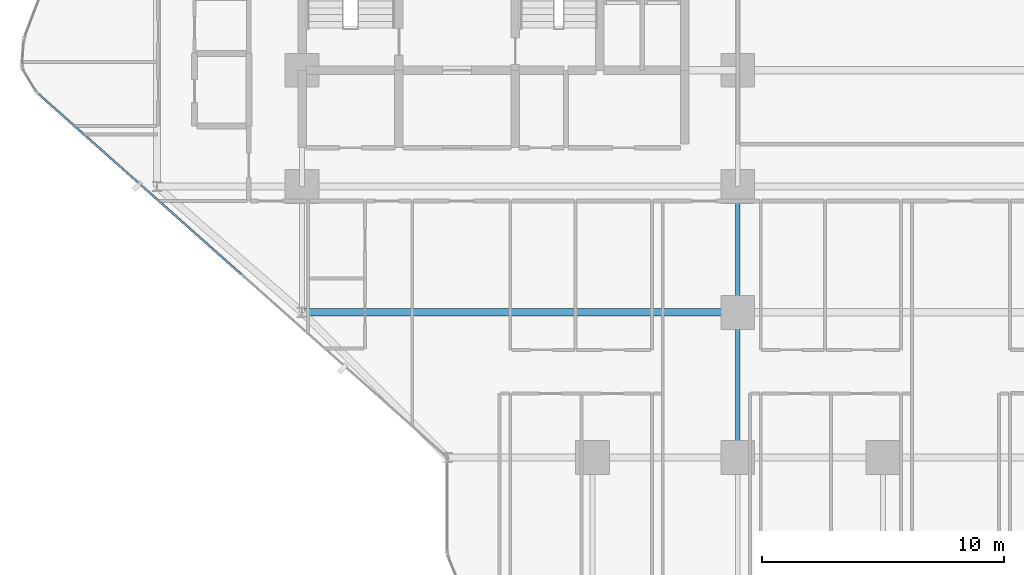
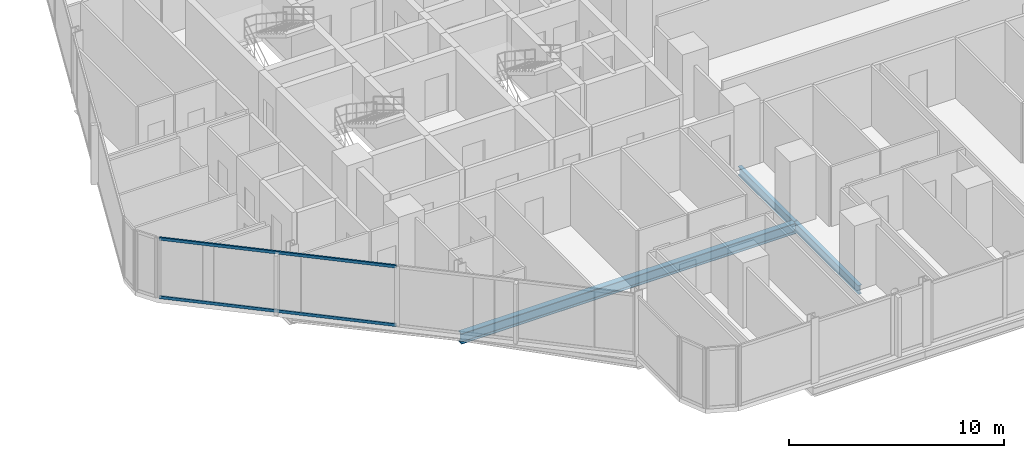
# One storey, part 4 of 35: 3 beams, 2 members, 1 element without a shape of its own.
"""IFC4 building model written with IfcOpenShell, lengths in metres."""

from ifc_helpers import new_model, si_unit, direction, frame, origin, origin_2d, place, context, subcontext, project, spatial, hollow_rectangle, i_section, extrude, material, layer, layer_set, material_profile, profile_set, type_object, element, aggregate, save


model = new_model("IFC4")

# Units and contexts
model_context = context("Model", 3, precision=1e-05, world=origin(), true_north=direction((0.0, 1.0)))
body_context = subcontext(model_context, "Body", "Model", "MODEL_VIEW")
ifc_project = project(units=[si_unit("LENGTHUNIT", "METRE"), si_unit("AREAUNIT", "SQUARE_METRE"), si_unit("VOLUMEUNIT", "CUBIC_METRE"), si_unit("PLANEANGLEUNIT", "RADIAN"), si_unit("MASSUNIT", "GRAM", prefix="KILO")], contexts=[model_context])

# Site, building, storey
site_placement = place(None, origin())
site = spatial("IfcSite", under=ifc_project, at=site_placement, CompositionType="ELEMENT")
building_placement = place(site_placement, origin())
building = spatial("IfcBuilding", under=site, at=building_placement, Name="Keshet Zoharim Tower", CompositionType="ELEMENT")
storey_placement = place(building_placement, frame((0.0, 0.0, 24.0)))
storey = spatial("IfcBuildingStorey", under=building, at=storey_placement, Name="L04", CompositionType="ELEMENT", Elevation=24.0)

# Beams
ifc_material_1 = material(Name="Steel S355", Category="steel")
ifc_material_profile_1 = material_profile(ifc_material_1, i_section(OverallWidth=0.300048828125, OverallDepth=0.60009765625, WebThickness=0.015380859375, FlangeThickness=0.030029296875, FilletRadius=0.027099609375, at=origin_2d()), Name="HEB600")
ifc_profile_set_1 = profile_set([ifc_material_profile_1], Name="Steel S355")
beam_type_1 = type_object("IfcBeamType", Name="BM-LNG-HB600", PredefinedType="BEAM", material=ifc_profile_set_1)
beam_1_placement = place(storey_placement, frame((15.0, 12.699951171875, -0.614990234375), z_axis=(1.0, 0.0, 0.0), x_axis=(0.0, 1.0, 0.0)))
element("IfcBeam", 1, at=beam_1_placement, inside=storey, type_object=beam_type_1, Name="L04 Primary Girder X-011", PredefinedType="BEAM", context=body_context, shape_type="SweptSolid", body=[
    extrude(i_section(OverallWidth=0.300048828125, OverallDepth=0.60009765625, WebThickness=0.015380859375, FlangeThickness=0.030029296875, FilletRadius=0.027099609375, at=origin_2d()), origin(), (0.0, 0.0, 1.0), 18.0),
])
ifc_material_profile_2 = material_profile(ifc_material_1, i_section(OverallWidth=0.199951171875, OverallDepth=0.5, WebThickness=0.01025390625, FlangeThickness=0.01611328125, FilletRadius=0.02099609375, at=origin_2d()), Name="IPE500")
ifc_profile_set_2 = profile_set([ifc_material_profile_2], Name="Steel S355")
beam_type_2 = type_object("IfcBeamType", Name="BM-PRI-IP500", PredefinedType="BEAM", material=ifc_profile_set_2)
beam_2_placement = place(storey_placement, frame((33.0, 6.699951171875, -0.56494140625), z_axis=(0.0, 1.0, 0.0), x_axis=(-1.0, 0.0, 0.0)))
element("IfcBeam", 2, at=beam_2_placement, inside=storey, type_object=beam_type_2, Name="L04 Primary Girder Y-006", PredefinedType="BEAM", context=body_context, shape_type="SweptSolid", body=[
    extrude(i_section(OverallWidth=0.199951171875, OverallDepth=0.5, WebThickness=0.01025390625, FlangeThickness=0.01611328125, FilletRadius=0.02099609375, at=origin_2d()), origin(), (0.0, 0.0, 1.0), 6.0),
])
beam_3_placement = place(storey_placement, frame((33.0, 12.699951171875, -0.56494140625), z_axis=(0.0, 1.0, 0.0), x_axis=(-1.0, 0.0, 0.0)))
element("IfcBeam", 3, at=beam_3_placement, inside=storey, type_object=beam_type_2, Name="L04 Primary Girder Y-007", PredefinedType="BEAM", context=body_context, shape_type="SweptSolid", body=[
    extrude(i_section(OverallWidth=0.199951171875, OverallDepth=0.5, WebThickness=0.01025390625, FlangeThickness=0.01611328125, FilletRadius=0.02099609375, at=origin_2d()), origin(), (0.0, 0.0, 1.0), 5.199951171875),
])

# Curtain wall, members
ifc_material_2 = material(Name="Aluminium 6063-T6", Category="aluminium")
ifc_layer = layer(ifc_material_2, 0.179931640625)
ifc_layer_set = layer_set([ifc_layer], Name="Aluminium 6063-T6")
curtain_wall_type = type_object("IfcCurtainWallType", Name="CW-SYS-01", PredefinedType="NOTDEFINED", material=ifc_layer_set)
curtain_wall_placement = place(storey_placement, origin())
curtain_wall = element("IfcCurtainWall", 4, at=curtain_wall_placement, inside=storey, type_object=curtain_wall_type, Name="L04 Unitised Curtain Wall 01", PredefinedType="NOTDEFINED")
ifc_material_profile_3 = material_profile(ifc_material_2, hollow_rectangle(XDim=0.0849609375, YDim=0.159912109375, WallThickness=0.00439453125, at=origin_2d()), Name="TRN-85x160")
ifc_profile_set_3 = profile_set([ifc_material_profile_3], Name="Aluminium 6063-T6")
member_type = type_object("IfcMemberType", Name="CWT-T16", PredefinedType="USERDEFINED", material=ifc_profile_set_3)
member_1_placement = place(storey_placement, frame((12.491455078125, 14.26318359375, 0.034912109375), z_axis=(-0.747411714548, 0.664361143472, 0.0), x_axis=(-0.664361143472, -0.747411714548, 0.0)))
member_1 = element("IfcMember", 5, at=member_1_placement, type_object=member_type, Name="CW-01 transom 2.1", ObjectType="TRANSOM", PredefinedType="USERDEFINED", context=body_context, shape_type="SweptSolid", body=[
    extrude(hollow_rectangle(XDim=0.0849609375, YDim=0.159912109375, WallThickness=0.00439453125, at=origin_2d()), origin(), (0.0, 0.0, 1.0), 11.244140625),
])
member_2_placement = place(storey_placement, frame((12.491455078125, 14.26318359375, 3.35009765625), z_axis=(-0.747411714548, 0.664361143472, 0.0), x_axis=(-0.664361143472, -0.747411714548, 0.0)))
member_2 = element("IfcMember", 6, at=member_2_placement, type_object=member_type, Name="CW-01 transom 2.2", ObjectType="TRANSOM", PredefinedType="USERDEFINED", context=body_context, shape_type="SweptSolid", body=[
    extrude(hollow_rectangle(XDim=0.0849609375, YDim=0.159912109375, WallThickness=0.00439453125, at=origin_2d()), origin(), (0.0, 0.0, 1.0), 11.244140625),
])
aggregate(curtain_wall, [member_1, member_2])

save(model, "model.ifc")
